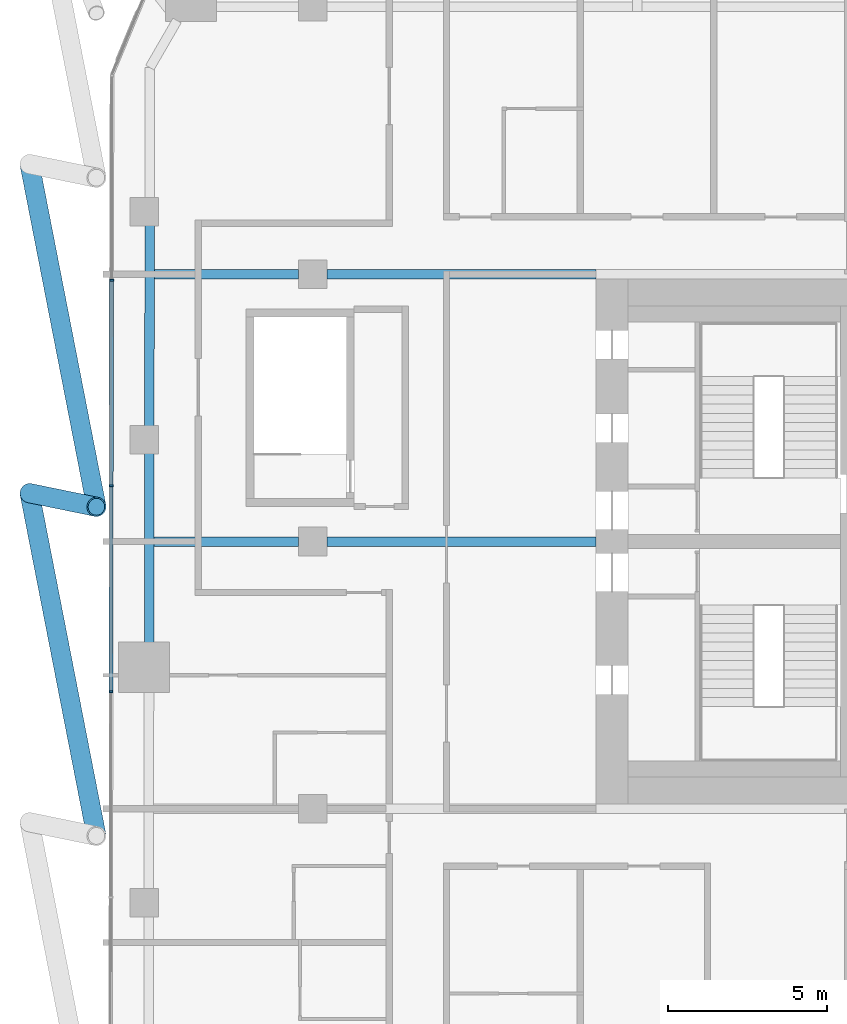
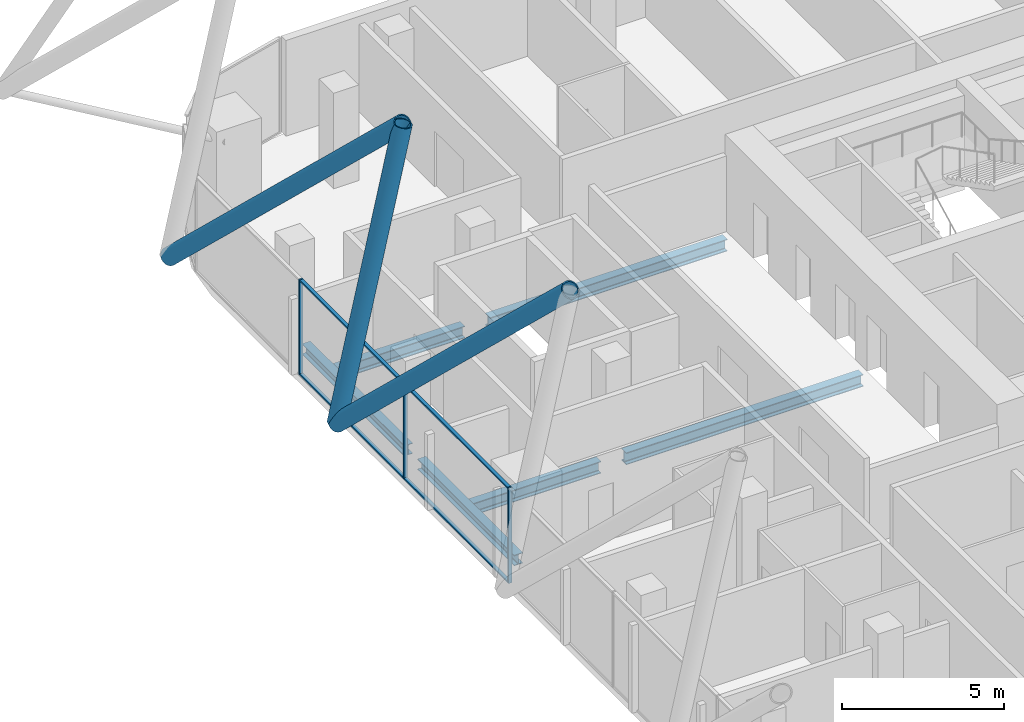
# One storey, part 10 of 34: 10 members, 6 beams, 1 element without a shape of its own.
"""IFC4 building model written with IfcOpenShell, lengths in metres."""

from ifc_helpers import new_model, si_unit, direction, frame, origin, origin_2d, place, context, subcontext, project, spatial, rectangle, hollow_circle, i_section, extrude, material, layer, layer_set, material_profile, profile_set, type_object, element, aggregate, save


model = new_model("IFC4")

# Units and contexts
model_context = context("Model", 3, precision=1e-05, world=origin(), true_north=direction((0.0, 1.0)))
body_context = subcontext(model_context, "Body", "Model", "MODEL_VIEW")
ifc_project = project(units=[si_unit("LENGTHUNIT", "METRE"), si_unit("AREAUNIT", "SQUARE_METRE"), si_unit("VOLUMEUNIT", "CUBIC_METRE"), si_unit("PLANEANGLEUNIT", "RADIAN"), si_unit("MASSUNIT", "GRAM", prefix="KILO")], contexts=[model_context])

# Site, building, storey
site_placement = place(None, origin())
site = spatial("IfcSite", under=ifc_project, at=site_placement, CompositionType="ELEMENT")
building_placement = place(site_placement, origin())
building = spatial("IfcBuilding", under=site, at=building_placement, Name="Marenta Gate Hotel Tower", CompositionType="ELEMENT")
storey_placement = place(building_placement, frame((0.0, 0.0, 166.10009765625)))
storey = spatial("IfcBuildingStorey", under=building, at=storey_placement, Name="L39", CompositionType="ELEMENT", Elevation=166.10009765625)

# Members
ifc_material_1 = material(Name="Steel S355J2W", Category="steel")
ifc_material_profile_1 = material_profile(ifc_material_1, hollow_circle(Radius=0.304931640625, WallThickness=0.0400390625, at=origin_2d()), Name="CHS 610x40")
ifc_profile_set_1 = profile_set([ifc_material_profile_1], Name="Steel S355J2W")
member_type_1 = type_object("IfcMemberType", Name="Diagrid diagonal T2 CHS 610x40", PredefinedType="BRACE", material=ifc_profile_set_1)
member_1_placement = place(storey_placement, frame((-29.89990234375, 9.919921875, 3.139892578125), z_axis=(0.136387552473, -0.699523368187, 0.701473800573), x_axis=(0.981518224839, 0.191368686853, 0.0)))
element("IfcMember", 1, at=member_1_placement, inside=storey, type_object=member_type_1, Name="L39-DG-30", PredefinedType="BRACE", context=body_context, shape_type="SweptSolid", body=[
    extrude(hollow_circle(Radius=0.304931640625, WallThickness=0.0400390625, at=origin_2d()), origin(), (0.0, 0.0, 1.0), 15.396240234375),
])
member_2_placement = place(storey_placement, frame((-29.89990234375, 9.919921875, 3.139892578125), z_axis=(0.19071044896, -0.03904675045, 0.980869448977), x_axis=(0.200582587895, 0.979676796415, 0.0)))
element("IfcMember", 2, at=member_2_placement, inside=storey, type_object=member_type_1, Name="L39-DG-31", PredefinedType="BRACE", context=body_context, shape_type="SweptSolid", body=[
    extrude(hollow_circle(Radius=0.304931640625, WallThickness=0.0400390625, at=origin_2d()), origin(), (0.0, 0.0, 1.0), 11.0107421875),
])
member_3_placement = place(storey_placement, frame((-29.89990234375, 20.260009765625, 3.139892578125), z_axis=(0.136387552473, -0.699523368187, 0.701473800573), x_axis=(0.981518224839, 0.191368686853, 0.0)))
element("IfcMember", 3, at=member_3_placement, inside=storey, type_object=member_type_1, Name="L39-DG-32", PredefinedType="BRACE", context=body_context, shape_type="SweptSolid", body=[
    extrude(hollow_circle(Radius=0.304931640625, WallThickness=0.0400390625, at=origin_2d()), origin(), (0.0, 0.0, 1.0), 15.396240234375),
])

# Beams
ifc_material_2 = material(Name="Steel S355", Category="steel")
ifc_material_profile_2 = material_profile(ifc_material_2, i_section(OverallWidth=0.300048828125, OverallDepth=0.39990234375, WebThickness=0.013427734375, FlangeThickness=0.02392578125, FilletRadius=0.027099609375, at=origin_2d()), Name="HEB 400")
ifc_profile_set_2 = profile_set([ifc_material_profile_2], Name="Steel S355")
beam_type_1 = type_object("IfcBeamType", Name="Edge beam HEB 400", PredefinedType="SPANDREL", material=ifc_profile_set_2)
beam_1_placement = place(storey_placement, frame((-26.146484375, 5.2099609375, -0.460205078125), z_axis=(0.001387357379, 0.999999037619, 0.0), x_axis=(-0.999999037619, 0.001387357379, 0.0)))
element("IfcBeam", 4, at=beam_1_placement, inside=storey, type_object=beam_type_1, Name="L39-EB-8", PredefinedType="SPANDREL", context=body_context, shape_type="SweptSolid", body=[
    extrude(i_section(OverallWidth=0.300048828125, OverallDepth=0.39990234375, WebThickness=0.013427734375, FlangeThickness=0.02392578125, FilletRadius=0.027099609375, at=origin_2d()), origin(), (0.0, 0.0, 1.0), 5.983154296875),
])
beam_2_placement = place(storey_placement, frame((-26.136962890625, 12.01318359375, -0.460205078125), z_axis=(0.001387763206, 0.999999037056, 0.0), x_axis=(-0.999999037056, 0.001387763206, 0.0)))
element("IfcBeam", 5, at=beam_2_placement, inside=storey, type_object=beam_type_1, Name="L39-EB-9", PredefinedType="SPANDREL", context=body_context, shape_type="SweptSolid", body=[
    extrude(i_section(OverallWidth=0.300048828125, OverallDepth=0.39990234375, WebThickness=0.013427734375, FlangeThickness=0.02392578125, FilletRadius=0.027099609375, at=origin_2d()), origin(), (0.0, 0.0, 1.0), 6.333251953125),
])
ifc_material_3 = material(Name="Steel S355", Category="steel")
ifc_material_profile_3 = material_profile(ifc_material_3, i_section(OverallWidth=0.300048828125, OverallDepth=0.449951171875, WebThickness=0.013916015625, FlangeThickness=0.02587890625, FilletRadius=0.027099609375, at=origin_2d()), Name="HEB 450")
ifc_profile_set_3 = profile_set([ifc_material_profile_3], Name="Steel S355")
beam_type_2 = type_object("IfcBeamType", Name="Girder HEB 450", PredefinedType="BEAM", material=ifc_profile_set_3)
beam_3_placement = place(storey_placement, frame((-25.991943359375, 8.39990234375, -0.485107421875), z_axis=(1.0, 0.0, 0.0), x_axis=(0.0, 1.0, 0.0)))
element("IfcBeam", 6, at=beam_3_placement, inside=storey, type_object=beam_type_2, Name="L39-GD-20", PredefinedType="BEAM", context=body_context, shape_type="SweptSolid", body=[
    extrude(i_section(OverallWidth=0.300048828125, OverallDepth=0.449951171875, WebThickness=0.013916015625, FlangeThickness=0.02587890625, FilletRadius=0.027099609375, at=origin_2d()), origin(), (0.0, 0.0, 1.0), 4.5419921875),
])
beam_4_placement = place(storey_placement, frame((-20.550048828125, 8.39990234375, -0.485107421875), z_axis=(1.0, 0.0, 0.0), x_axis=(0.0, 1.0, 0.0)))
element("IfcBeam", 7, at=beam_4_placement, inside=storey, type_object=beam_type_2, Name="L39-GD-21", PredefinedType="BEAM", context=body_context, shape_type="SweptSolid", body=[
    extrude(i_section(OverallWidth=0.300048828125, OverallDepth=0.449951171875, WebThickness=0.013916015625, FlangeThickness=0.02587890625, FilletRadius=0.027099609375, at=origin_2d()), origin(), (0.0, 0.0, 1.0), 8.449951171875),
])
beam_5_placement = place(storey_placement, frame((-25.980224609375, 16.800048828125, -0.485107421875), z_axis=(1.0, 0.0, 0.0), x_axis=(0.0, 1.0, 0.0)))
element("IfcBeam", 8, at=beam_5_placement, inside=storey, type_object=beam_type_2, Name="L39-GD-24", PredefinedType="BEAM", context=body_context, shape_type="SweptSolid", body=[
    extrude(i_section(OverallWidth=0.300048828125, OverallDepth=0.449951171875, WebThickness=0.013916015625, FlangeThickness=0.02587890625, FilletRadius=0.027099609375, at=origin_2d()), origin(), (0.0, 0.0, 1.0), 4.5302734375),
])
beam_6_placement = place(storey_placement, frame((-20.550048828125, 16.800048828125, -0.485107421875), z_axis=(1.0, 0.0, 0.0), x_axis=(0.0, 1.0, 0.0)))
element("IfcBeam", 9, at=beam_6_placement, inside=storey, type_object=beam_type_2, Name="L39-GD-25", PredefinedType="BEAM", context=body_context, shape_type="SweptSolid", body=[
    extrude(i_section(OverallWidth=0.300048828125, OverallDepth=0.449951171875, WebThickness=0.013916015625, FlangeThickness=0.02587890625, FilletRadius=0.027099609375, at=origin_2d()), origin(), (0.0, 0.0, 1.0), 8.449951171875),
])

# Curtain wall, members
ifc_material_4 = material(Name="Tinted insulated glass in bronze anodised frame", Category="glass")
ifc_layer = layer(ifc_material_4, 0.1201171875)
ifc_layer_set = layer_set([ifc_layer], Name="Tinted insulated glass in bronze anodised frame")
curtain_wall_type = type_object("IfcCurtainWallType", Name="Tower unitised curtain wall CW1", PredefinedType="NOTDEFINED", material=ifc_layer_set)
curtain_wall_placement = place(storey_placement, origin())
curtain_wall = element("IfcCurtainWall", 10, at=curtain_wall_placement, inside=storey, type_object=curtain_wall_type, Name="CW1 run G04", PredefinedType="NOTDEFINED")
ifc_material_5 = material(Name="Bronze anodised aluminium", Category="aluminium")
ifc_material_profile_4 = material_profile(ifc_material_5, rectangle(XDim=0.1201171875, YDim=0.06005859375, at=origin_2d()), Name="Mullion CW1 60x120 bronze anodised aluminium")
ifc_profile_set_4 = profile_set([ifc_material_profile_4], Name="Bronze anodised aluminium")
member_type_2 = type_object("IfcMemberType", Name="Mullion CW1 60x120 bronze anodised aluminium", PredefinedType="MULLION", material=ifc_profile_set_4)
member_4_placement = place(storey_placement, frame((-27.322509765625, 16.606201171875, 0.0), z_axis=(0.0, 0.0, 1.0), x_axis=(0.99999877375, -0.001566045546, 0.0)))
member_4 = element("IfcMember", 11, at=member_4_placement, type_object=member_type_2, Name="CW1 mullion 2", PredefinedType="MULLION", context=body_context, shape_type="SweptSolid", body=[
    extrude(rectangle(XDim=0.1201171875, YDim=0.06005859375, at=origin_2d()), origin(), (0.0, 0.0, 1.0), 3.599853515625),
])
member_5_placement = place(storey_placement, frame((-27.33251953125, 10.146240234375, 0.0), z_axis=(0.0, 0.0, 1.0), x_axis=(0.99999877375, -0.001566045546, 0.0)))
member_5 = element("IfcMember", 12, at=member_5_placement, type_object=member_type_2, Name="CW1 mullion 3", PredefinedType="MULLION", context=body_context, shape_type="SweptSolid", body=[
    extrude(rectangle(XDim=0.1201171875, YDim=0.06005859375, at=origin_2d()), origin(), (0.0, 0.0, 1.0), 3.599853515625),
])
member_6_placement = place(storey_placement, frame((-27.342529296875, 3.686279296875, 0.0), z_axis=(0.0, 0.0, 1.0), x_axis=(0.99999877375, -0.001566045546, 0.0)))
member_6 = element("IfcMember", 13, at=member_6_placement, type_object=member_type_2, Name="CW1 mullion 4", PredefinedType="MULLION", context=body_context, shape_type="SweptSolid", body=[
    extrude(rectangle(XDim=0.1201171875, YDim=0.06005859375, at=origin_2d()), origin(), (0.0, 0.0, 1.0), 3.599853515625),
])
ifc_material_6 = material(Name="Bronze anodised aluminium", Category="aluminium")
ifc_material_profile_5 = material_profile(ifc_material_6, rectangle(XDim=0.1201171875, YDim=0.06005859375, at=origin_2d()), Name="Transom CW1 60x120 bronze anodised aluminium")
ifc_profile_set_5 = profile_set([ifc_material_profile_5], Name="Bronze anodised aluminium")
member_type_3 = type_object("IfcMemberType", Name="Transom CW1 60x120 bronze anodised aluminium", PredefinedType="USERDEFINED", material=ifc_profile_set_5)
member_7_placement = place(storey_placement, frame((-27.322509765625, 16.576171875, 0.02978515625), z_axis=(-0.001564047831, -0.999998776876, 0.0), x_axis=(0.999998776876, -0.001564047831, 0.0)))
member_7 = element("IfcMember", 14, at=member_7_placement, type_object=member_type_3, Name="CW1 transom 2.1", ObjectType="TRANSOM", PredefinedType="USERDEFINED", context=body_context, shape_type="SweptSolid", body=[
    extrude(rectangle(XDim=0.1201171875, YDim=0.06005859375, at=origin_2d()), origin(), (0.0, 0.0, 1.0), 6.39990234375),
])
member_8_placement = place(storey_placement, frame((-27.322509765625, 16.576171875, 3.56982421875), z_axis=(-0.001564047831, -0.999998776876, 0.0), x_axis=(0.999998776876, -0.001564047831, 0.0)))
member_8 = element("IfcMember", 15, at=member_8_placement, type_object=member_type_3, Name="CW1 transom 2.2", ObjectType="TRANSOM", PredefinedType="USERDEFINED", context=body_context, shape_type="SweptSolid", body=[
    extrude(rectangle(XDim=0.1201171875, YDim=0.06005859375, at=origin_2d()), origin(), (0.0, 0.0, 1.0), 6.39990234375),
])
member_9_placement = place(storey_placement, frame((-27.33251953125, 10.1162109375, 0.02978515625), z_axis=(-0.001564047831, -0.999998776876, 0.0), x_axis=(0.999998776876, -0.001564047831, 0.0)))
member_9 = element("IfcMember", 16, at=member_9_placement, type_object=member_type_3, Name="CW1 transom 3.1", ObjectType="TRANSOM", PredefinedType="USERDEFINED", context=body_context, shape_type="SweptSolid", body=[
    extrude(rectangle(XDim=0.1201171875, YDim=0.06005859375, at=origin_2d()), origin(), (0.0, 0.0, 1.0), 6.39990234375),
])
member_10_placement = place(storey_placement, frame((-27.33251953125, 10.1162109375, 3.56982421875), z_axis=(-0.001564047831, -0.999998776876, 0.0), x_axis=(0.999998776876, -0.001564047831, 0.0)))
member_10 = element("IfcMember", 17, at=member_10_placement, type_object=member_type_3, Name="CW1 transom 3.2", ObjectType="TRANSOM", PredefinedType="USERDEFINED", context=body_context, shape_type="SweptSolid", body=[
    extrude(rectangle(XDim=0.1201171875, YDim=0.06005859375, at=origin_2d()), origin(), (0.0, 0.0, 1.0), 6.39990234375),
])
aggregate(curtain_wall, [member_4, member_5, member_6, member_7, member_8, member_9, member_10])

save(model, "model.ifc")
